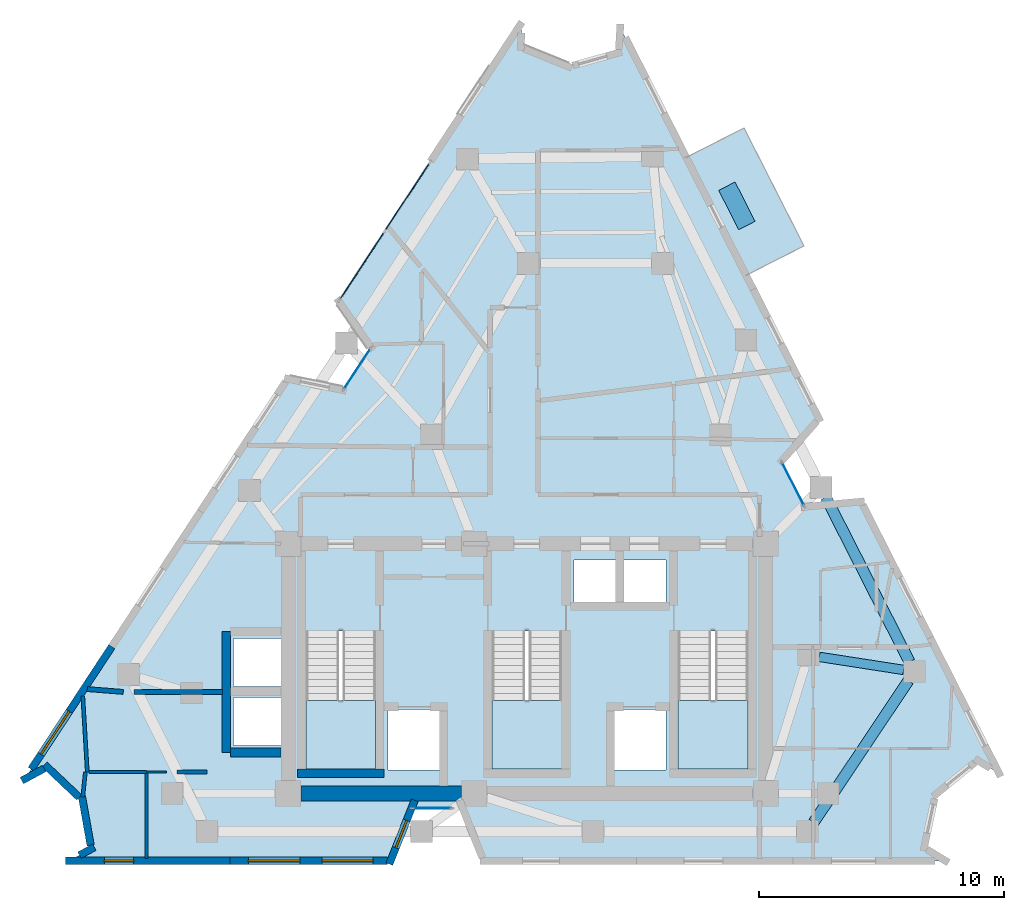
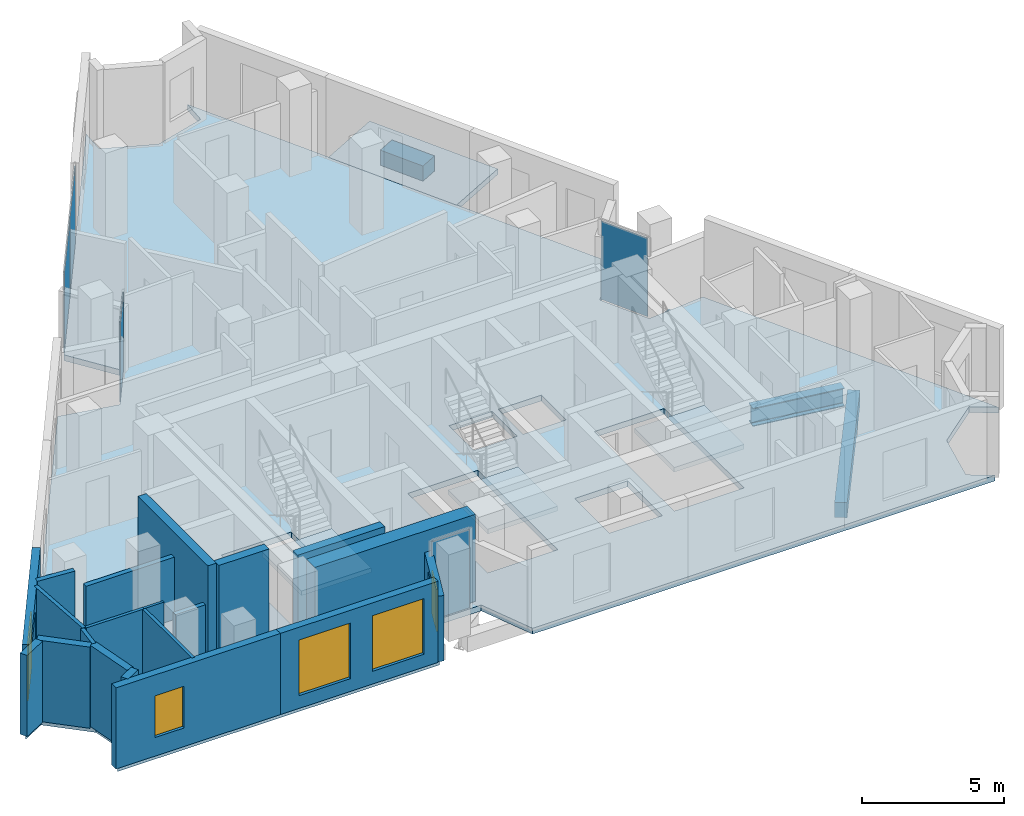
# One storey, part 4 of 9: 20 walls, 6 plates, 5 slabs, 5 windows, 3 beams, 5 openings, 7 elements without a shape of their own.
"""IFC4 building model written with IfcOpenShell, lengths in metres."""

from ifc_helpers import new_model, si_unit, direction, frame, frame_2d, origin, origin_2d, place, context, subcontext, project, spatial, polyline, rectangle, i_section, outline, extrude, material, layer, layer_set, material_profile, profile_set, type_object, element, fill, aggregate, save


model = new_model("IFC4")

# Units and contexts
model_context = context("Model", 3, precision=1e-05, world=origin(), true_north=direction((0.0, 1.0)))
body_context = subcontext(model_context, "Body", "Model", "MODEL_VIEW")
ifc_project = project(units=[si_unit("LENGTHUNIT", "METRE"), si_unit("AREAUNIT", "SQUARE_METRE"), si_unit("VOLUMEUNIT", "CUBIC_METRE"), si_unit("PLANEANGLEUNIT", "RADIAN"), si_unit("MASSUNIT", "GRAM", prefix="KILO")], contexts=[model_context])

# Site, building, storey
site_placement = place(None, origin())
site = spatial("IfcSite", under=ifc_project, at=site_placement, CompositionType="ELEMENT")
building_placement = place(site_placement, origin())
building = spatial("IfcBuilding", under=site, at=building_placement, Name="Almagre Mirador Tower", CompositionType="ELEMENT")
storey_placement = place(building_placement, frame((0.0, 0.0, 237.0)))
storey = spatial("IfcBuildingStorey", under=building, at=storey_placement, Name="L61", CompositionType="ELEMENT", Elevation=237.0)

# Beams
ifc_material_1 = material(Name="Precast concrete C50/60", Category="concrete")
ifc_material_profile_1 = material_profile(ifc_material_1, rectangle(XDim=0.449951171875, YDim=0.64990234375, at=origin_2d()), Name="RC450X650")
ifc_profile_set_1 = profile_set([ifc_material_profile_1], Name="Precast concrete C50/60")
beam_type_1 = type_object("IfcBeamType", Name="BM-SPN-RC450X650", PredefinedType="SPANDREL", material=ifc_profile_set_1)
beam_1_placement = place(storey_placement, frame((49.01416015625, 3.3740234375, -0.574951171875), z_axis=(0.555688352968, 0.831390674939, 0.0), x_axis=(-0.831390674939, 0.555688352968, 0.0)))
element("IfcBeam", 1, at=beam_1_placement, inside=storey, type_object=beam_type_1, Name="L61 perimeter spandrel beam PC04-PC05", PredefinedType="SPANDREL", context=body_context, shape_type="SweptSolid", body=[
    extrude(rectangle(XDim=0.449951171875, YDim=0.64990234375, at=origin_2d()), origin(), (0.0, 0.0, 1.0), 6.953125),
])
beam_2_placement = place(storey_placement, frame((52.92431640625, 9.93017578125, -0.574951171875), z_axis=(-0.452920240804, 0.891551039184, 0.0), x_axis=(-0.891551039184, -0.452920240804, 0.0)))
element("IfcBeam", 2, at=beam_2_placement, inside=storey, type_object=beam_type_1, Name="L61 perimeter spandrel beam PC05-PC06", PredefinedType="SPANDREL", context=body_context, shape_type="SweptSolid", body=[
    extrude(rectangle(XDim=0.449951171875, YDim=0.64990234375, at=origin_2d()), origin(), (0.0, 0.0, 1.0), 7.53466796875),
])
ifc_material_2 = material(Name="Steel ASTM A992 Grade 50", Category="steel")
ifc_material_profile_2 = material_profile(ifc_material_2, i_section(OverallWidth=0.384033203125, OverallDepth=0.784912109375, WebThickness=0.019775390625, FlangeThickness=0.033447265625, FilletRadius=0.02392578125, at=origin_2d()), Name="W30X211")
ifc_profile_set_2 = profile_set([ifc_material_profile_2], Name="Steel ASTM A992 Grade 50")
beam_type_2 = type_object("IfcBeamType", Name="BM-STL-W30X211", PredefinedType="BEAM", material=ifc_profile_set_2)
beam_3_placement = place(storey_placement, frame((52.683349609375, 9.597900390625, -0.642578125), z_axis=(-0.988190943166, 0.153227477449, 0.0), x_axis=(-0.153227477449, -0.988190943166, 0.0)))
element("IfcBeam", 3, at=beam_3_placement, inside=storey, type_object=beam_type_2, Name="L61 radial floor girder PC05-MC3", PredefinedType="BEAM", context=body_context, shape_type="SweptSolid", body=[
    extrude(i_section(OverallWidth=0.384033203125, OverallDepth=0.784912109375, WebThickness=0.019775390625, FlangeThickness=0.033447265625, FilletRadius=0.02392578125, at=origin_2d()), origin(), (0.0, 0.0, 1.0), 3.479736328125),
])

# Curtain wall, plate
ifc_material_3 = material(Name="Black anodized aluminium", Category="aluminium")
ifc_layer_1 = layer(ifc_material_3, 0.169921875)
ifc_layer_set_1 = layer_set([ifc_layer_1], Name="Black anodized aluminium")
curtain_wall_type_1 = type_object("IfcCurtainWallType", Name="CW-CRS-SYS", PredefinedType="NOTDEFINED", material=ifc_layer_set_1)
curtain_wall_1_placement = place(storey_placement, origin())
curtain_wall_1 = element("IfcCurtainWall", 4, at=curtain_wall_1_placement, inside=storey, type_object=curtain_wall_type_1, Name="L61 vertical crease curtain wall 01", PredefinedType="NOTDEFINED")
ifc_material_4 = material(Name="Dark solar-control laminated hurricane glass", Category="glass")
ifc_layer_2 = layer(ifc_material_4, 0.028076171875)
ifc_layer_set_2 = layer_set([ifc_layer_2], Name="Dark solar-control laminated hurricane glass")
plate_type_1 = type_object("IfcPlateType", Name="PLT-GLZ-28", PredefinedType="CURTAIN_PANEL", material=ifc_layer_set_2)
plate_1_placement = place(storey_placement, frame((30.37158203125, 21.892578125, 0.06005859375), z_axis=(0.0, 0.0, 1.0), x_axis=(0.548834109267, 0.835931289344, 0.0)))
plate_1 = element("IfcPlate", 5, at=plate_1_placement, type_object=plate_type_1, Name="CW-4 panel 1.1", PredefinedType="CURTAIN_PANEL", context=body_context, shape_type="SweptSolid", body=[
    extrude(rectangle(XDim=1.969970703125, YDim=0.028076171875, at=origin_2d()), origin(), (0.0, 0.0, 1.0), 3.3798828125),
])
aggregate(curtain_wall_1, [plate_1])

curtain_wall_2_placement = place(storey_placement, origin())
curtain_wall_2 = element("IfcCurtainWall", 6, at=curtain_wall_2_placement, inside=storey, type_object=curtain_wall_type_1, Name="L61 vertical crease curtain wall 03", PredefinedType="NOTDEFINED")
plate_2_placement = place(storey_placement, frame((48.17138671875, 17.18896484375, 0.06005859375), z_axis=(0.0, 0.0, 1.0), x_axis=(0.452943909364, -0.891539014833, 0.0)))
plate_2 = element("IfcPlate", 7, at=plate_2_placement, type_object=plate_type_1, Name="CW-4 panel 1.1", PredefinedType="CURTAIN_PANEL", context=body_context, shape_type="SweptSolid", body=[
    extrude(rectangle(XDim=1.970703125, YDim=0.028076171875, at=origin_2d()), origin(), (0.0, 0.0, 1.0), 3.3798828125),
])
aggregate(curtain_wall_2, [plate_2])

curtain_wall_3_placement = place(storey_placement, origin())
curtain_wall_3 = element("IfcCurtainWall", 8, at=curtain_wall_3_placement, inside=storey, type_object=curtain_wall_type_1, Name="L61 vertical crease curtain wall 04", PredefinedType="NOTDEFINED")
plate_3_placement = place(storey_placement, frame((33.427978515625, 3.949951171875, 0.06005859375), z_axis=(0.0, 0.0, 1.0), x_axis=(-1.0, 0.0, 0.0)))
plate_3 = element("IfcPlate", 9, at=plate_3_placement, type_object=plate_type_1, Name="CW-4 panel 1.1", PredefinedType="CURTAIN_PANEL", context=body_context, shape_type="SweptSolid", body=[
    extrude(rectangle(XDim=1.553955078125, YDim=0.028076171875, at=origin_2d()), origin(), (0.0, 0.0, 1.0), 3.3798828125),
])
aggregate(curtain_wall_3, [plate_3])

# Curtain wall, plates
ifc_material_5 = material(Name="Black anodized aluminium", Category="aluminium")
ifc_layer_3 = layer(ifc_material_5, 0.199951171875)
ifc_layer_set_3 = layer_set([ifc_layer_3], Name="Black anodized aluminium")
curtain_wall_type_2 = type_object("IfcCurtainWallType", Name="CW-RES-H-SYS", PredefinedType="NOTDEFINED", material=ifc_layer_set_3)
curtain_wall_4_placement = place(storey_placement, origin())
curtain_wall_4 = element("IfcCurtainWall", 10, at=curtain_wall_4_placement, inside=storey, type_object=curtain_wall_type_2, Name="L61 curtain wall run 02", PredefinedType="NOTDEFINED")
ifc_material_6 = material(Name="Dark solar-control laminated hurricane glass", Category="glass")
ifc_layer_4 = layer(ifc_material_6, 0.035888671875)
ifc_layer_set_4 = layer_set([ifc_layer_4], Name="Dark solar-control laminated hurricane glass")
plate_type_2 = type_object("IfcPlateType", Name="PLT-GLZ-36", PredefinedType="CURTAIN_PANEL", material=ifc_layer_set_4)
plate_4_placement = place(storey_placement, frame((30.562744140625, 26.09912109375, 0.06494140625), z_axis=(0.0, 0.0, 1.0), x_axis=(0.549034457062, 0.835799715816, 0.0)))
plate_4 = element("IfcPlate", 11, at=plate_4_placement, type_object=plate_type_2, Name="CW-3 panel 1.1", PredefinedType="CURTAIN_PANEL", context=body_context, shape_type="SweptSolid", body=[
    extrude(rectangle(XDim=3.311279296875, YDim=0.035888671875, at=origin_2d()), origin(), (0.0, 0.0, 1.0), 3.3701171875),
])
plate_5_placement = place(storey_placement, frame((32.416259765625, 28.9208984375, 0.06494140625), z_axis=(0.0, 0.0, 1.0), x_axis=(0.549034457062, 0.835799715816, 0.0)))
plate_5 = element("IfcPlate", 12, at=plate_5_placement, type_object=plate_type_2, Name="CW-3 panel 2.1", PredefinedType="CURTAIN_PANEL", context=body_context, shape_type="SweptSolid", body=[
    extrude(rectangle(XDim=3.311279296875, YDim=0.035888671875, at=origin_2d()), origin(), (0.0, 0.0, 1.0), 3.3701171875),
])
aggregate(curtain_wall_4, [plate_4, plate_5])

# Plate
ifc_material_7 = material(Name="Precast concrete C50/60", Category="concrete")
ifc_layer_5 = layer(ifc_material_7, 0.64990234375)
ifc_layer_set_5 = layer_set([ifc_layer_5], Name="Precast concrete C50/60")
plate_type_3 = type_object("IfcPlateType", Name="PLT-PLANTER-1800", PredefinedType="USERDEFINED", material=ifc_layer_set_5)
plate_6_placement = place(storey_placement, frame((45.876953125, 28.550048828125, 0.0), z_axis=(0.0, 0.0, 1.0), x_axis=(-0.452901591366, 0.891560513111, 0.0)))
element("IfcPlate", 13, at=plate_6_placement, inside=storey, type_object=plate_type_3, Name="L61 east balcony structural tree planter 1", ObjectType="PLANTER", PredefinedType="USERDEFINED", context=body_context, shape_type="SweptSolid", body=[
    extrude(rectangle(XDim=1.800048828125, YDim=0.75, at=origin_2d()), origin(), (0.0, 0.0, 1.0), 0.64990234375),
])

# Slabs
ifc_material_8 = material(Name="Concrete C45/55", Category="concrete")
ifc_layer_6 = layer(ifc_material_8, 0.239990234375)
ifc_layer_set_6 = layer_set([ifc_layer_6], Name="Concrete C45/55")
slab_type_1 = type_object("IfcSlabType", Name="SLB-BAL-240", PredefinedType="USERDEFINED", material=ifc_layer_set_6)
slab_1_placement = place(storey_placement, frame((0.0, 0.0, -0.239990234375)))
element("IfcSlab", 14, at=slab_1_placement, inside=storey, type_object=slab_type_1, Name="L61 east planted tree balcony 1", ObjectType="BALCONY", PredefinedType="USERDEFINED", context=body_context, shape_type="SweptSolid", body=[
    extrude(outline(polyline([(46.235107421875, 25.7041015625), (43.7890625, 30.51806640625), (46.169921875, 31.72705078125), (48.614990234375, 26.9130859375), (46.235107421875, 25.7041015625)])), origin(), (0.0, 0.0, 1.0), 0.239990234375),
])
ifc_material_9 = material(Name="Concrete C45/55", Category="concrete")
ifc_layer_7 = layer(ifc_material_9, 0.25)
ifc_layer_set_7 = layer_set([ifc_layer_7], Name="Concrete C45/55")
slab_type_2 = type_object("IfcSlabType", Name="SLB-FLR-250", PredefinedType="FLOOR", material=ifc_layer_set_7)
slab_2_placement = place(storey_placement, frame((0.0, 0.0, -0.25)))
element("IfcSlab", 15, at=slab_2_placement, inside=storey, type_object=slab_type_2, Name="L61 structural floor slab", PredefinedType="FLOOR", context=body_context, shape_type="SweptSolid", body=[
    extrude(outline(polyline([(16.7958984375, 5.14306640625), (17.70703125, 5.635009765625), (19.158935546875, 4.260009765625), (19.510986328125, 2.291015625), (18.60009765625, 1.800048828125), (31.736083984375, 1.800048828125), (32.591064453125, 3.949951171875), (34.680908203125, 3.949951171875), (35.535888671875, 1.800048828125), (54.39990234375, 1.800048828125), (53.51806640625, 2.341064453125), (53.985107421875, 4.509033203125), (55.7060546875, 5.907958984375), (56.587890625, 5.365966796875), (50.948974609375, 16.468994140625), (48.64501953125, 16.257080078125), (47.697998046875, 18.12109375), (49.22802734375, 19.85693359375), (41.112060546875, 35.833984375), (41.053955078125, 34.800048828125), (39.011962890625, 34.22802734375), (37.0458984375, 35.02294921875), (37.10400390625, 36.056884765625), (29.617919921875, 24.660888671875), (30.945068359375, 22.76611328125), (29.798095703125, 21.01904296875), (27.531005859375, 21.485107421875), (16.7958984375, 5.14306640625)]), holes=[polyline([(43.47509765625, 5.550048828125), (43.47509765625, 11.196044921875), (46.324951171875, 11.196044921875), (46.324951171875, 5.550048828125), (43.47509765625, 5.550048828125)]), polyline([(41.219970703125, 12.320068359375), (41.219970703125, 14.080078125), (42.97998046875, 14.080078125), (42.97998046875, 12.320068359375), (41.219970703125, 12.320068359375)]), polyline([(42.97998046875, 5.52001953125), (40.820068359375, 5.52001953125), (40.820068359375, 7.97998046875), (42.97998046875, 7.97998046875), (42.97998046875, 5.52001953125)]), polyline([(39.219970703125, 12.320068359375), (39.219970703125, 14.080078125), (40.97998046875, 14.080078125), (40.97998046875, 12.320068359375), (39.219970703125, 12.320068359375)]), polyline([(35.875, 5.550048828125), (35.875, 11.196044921875), (38.72509765625, 11.196044921875), (38.72509765625, 5.550048828125), (35.875, 5.550048828125)]), polyline([(33.780029296875, 5.52001953125), (31.6201171875, 5.52001953125), (31.6201171875, 7.97998046875), (33.780029296875, 7.97998046875), (33.780029296875, 5.52001953125)]), polyline([(28.27490234375, 5.550048828125), (28.27490234375, 11.196044921875), (31.125, 11.196044921875), (31.125, 5.550048828125), (28.27490234375, 5.550048828125)]), polyline([(27.3798828125, 6.52001953125), (25.320068359375, 6.52001953125), (25.320068359375, 8.47998046875), (27.3798828125, 8.47998046875), (27.3798828125, 6.52001953125)]), polyline([(27.3798828125, 8.919921875), (25.320068359375, 8.919921875), (25.320068359375, 10.8798828125), (27.3798828125, 10.8798828125), (27.3798828125, 8.919921875)])]), origin(), (0.0, 0.0, 1.0), 0.25),
])

# Stair, slab
ifc_material_10 = material(Name="Concrete C45/55", Category="concrete")
stair_type = type_object("IfcStairType", Name="STR-DL-3750", PredefinedType="HALF_TURN_STAIR", material=ifc_material_10)
stair_1_placement = place(storey_placement, origin())
stair_1 = element("IfcStair", 16, at=stair_1_placement, inside=storey, type_object=stair_type, Name="L61 Protected exit stair ST-1", PredefinedType="HALF_TURN_STAIR")
ifc_material_11 = material(Name="Concrete C45/55", Category="concrete")
ifc_layer_8 = layer(ifc_material_11, 0.199951171875)
ifc_layer_set_8 = layer_set([ifc_layer_8], Name="Concrete C45/55")
slab_type_3 = type_object("IfcSlabType", Name="SLB-LND-200", PredefinedType="LANDING", material=ifc_layer_set_8)
slab_3_placement = place(storey_placement, frame((0.0, 0.0, 1.675048828125)))
slab_3 = element("IfcSlab", 17, at=slab_3_placement, type_object=slab_type_3, Name="ST-1 landing 1", PredefinedType="LANDING", context=body_context, shape_type="SweptSolid", body=[
    extrude(outline(polyline([(28.27490234375, 8.35009765625), (28.27490234375, 5.550048828125), (31.125, 5.550048828125), (31.125, 8.35009765625), (28.27490234375, 8.35009765625)])), origin(), (0.0, 0.0, 1.0), 0.199951171875),
])
aggregate(stair_1, [slab_3])

stair_2_placement = place(storey_placement, origin())
stair_2 = element("IfcStair", 18, at=stair_2_placement, inside=storey, type_object=stair_type, Name="L61 Protected exit stair ST-2", PredefinedType="HALF_TURN_STAIR")
slab_4_placement = place(storey_placement, frame((0.0, 0.0, 1.675048828125)))
slab_4 = element("IfcSlab", 19, at=slab_4_placement, type_object=slab_type_3, Name="ST-2 landing 1", PredefinedType="LANDING", context=body_context, shape_type="SweptSolid", body=[
    extrude(outline(polyline([(35.875, 8.35009765625), (35.875, 5.550048828125), (38.72509765625, 5.550048828125), (38.72509765625, 8.35009765625), (35.875, 8.35009765625)])), origin(), (0.0, 0.0, 1.0), 0.199951171875),
])
aggregate(stair_2, [slab_4])

stair_3_placement = place(storey_placement, origin())
stair_3 = element("IfcStair", 20, at=stair_3_placement, inside=storey, type_object=stair_type, Name="L61 Protected exit stair ST-3", PredefinedType="HALF_TURN_STAIR")
slab_5_placement = place(storey_placement, frame((0.0, 0.0, 1.675048828125)))
slab_5 = element("IfcSlab", 21, at=slab_5_placement, type_object=slab_type_3, Name="ST-3 landing 1", PredefinedType="LANDING", context=body_context, shape_type="SweptSolid", body=[
    extrude(outline(polyline([(43.47509765625, 8.35009765625), (43.47509765625, 5.550048828125), (46.324951171875, 5.550048828125), (46.324951171875, 8.35009765625), (43.47509765625, 8.35009765625)])), origin(), (0.0, 0.0, 1.0), 0.199951171875),
])
aggregate(stair_3, [slab_5])

# Wall, opening, window
ifc_material_12 = material(Name="Precast concrete C50/60", Category="concrete")
ifc_layer_9 = layer(ifc_material_12, 0.300048828125)
ifc_layer_set_9 = layer_set([ifc_layer_9], Name="Precast concrete C50/60")
wall_type_1 = type_object("IfcWallType", Name="WAL-EXT-300", PredefinedType="SOLIDWALL", material=ifc_layer_set_9)
wall_1_placement = place(storey_placement, frame((32.719482421875, 4.2734375, 0.0), z_axis=(0.0, 0.0, 1.0), x_axis=(-0.369466825356, -0.929243921132, 0.0)))
wall_1 = element("IfcWall", 22, at=wall_1_placement, inside=storey, type_object=wall_type_1, Name="L61 expressed almagre precast frame wall 23", PredefinedType="SOLIDWALL", context=body_context, shape_type="SweptSolid", body=[
    extrude(rectangle(XDim=2.8017578125, YDim=0.300048828125, at=frame_2d((1.40087890625, 0.0))), origin(), (0.0, 0.0, 1.0), 2.824951171875),
])
opening_1_placement = place(wall_1_placement, frame((0.883056640625, 0.0, 0.800048828125)))
opening_1 = element("IfcOpeningElement", 23, at=opening_1_placement, cuts=wall_1, Name="Opening WN-04", PredefinedType="OPENING", context=body_context, shape_type="SweptSolid", body=[
    extrude(rectangle(XDim=1.199951171875, YDim=1.800048828125, at=frame_2d((0.60009765625, 0.89990234375))), frame((0.0, 0.159902, 0.0), z_axis=(0.0, -1.0, 0.0), x_axis=(1.0, 0.0, 0.0)), (0.0, 0.0, 1.0), 0.320049),
])
ifc_material_13 = material(Name="Dark solar-control laminated hurricane glass", Category="glass")
window_type_1 = type_object("IfcWindowType", Name="WIN-1200X1800", PartitioningType="SINGLE_PANEL", PredefinedType="WINDOW", material=ifc_material_13)
window_1_placement = place(opening_1_placement, origin())
window_1 = element("IfcWindow", 24, at=window_1_placement, inside=storey, type_object=window_type_1, Name="L61 recessed hurricane window L61-UB-ST", OverallHeight=1.800048828125, OverallWidth=1.199951171875, PartitioningType="SINGLE_PANEL", PredefinedType="WINDOW", context=body_context, shape_type="SweptSolid", body=[
    extrude(rectangle(XDim=1.199951171875, YDim=1.800048828125, at=frame_2d((0.60009765625, 0.89990234375))), frame((0.0, 0.030029296875, 0.0), z_axis=(0.0, -1.0, 0.0), x_axis=(1.0, 0.0, 0.0)), (0.0, 0.0, 1.0), 0.06005859375),
])
fill(opening_1, window_1)

# Wall, openings, windows
wall_2_placement = place(storey_placement, frame((31.60107421875, 1.800048828125, 0.0), z_axis=(0.0, 0.0, 1.0), x_axis=(-1.0, 0.0, 0.0)))
wall_2 = element("IfcWall", 25, at=wall_2_placement, inside=storey, type_object=wall_type_1, Name="L61 expressed almagre precast frame wall 24", PredefinedType="SOLIDWALL", context=body_context, shape_type="SweptSolid", body=[
    extrude(rectangle(XDim=6.43310546875, YDim=0.300048828125, at=frame_2d((3.216552734375, 0.0))), origin(), (0.0, 0.0, 1.0), 3.5),
])
opening_2_placement = place(wall_2_placement, frame((0.574951171875, 0.0, 0.550048828125)))
opening_2 = element("IfcOpeningElement", 26, at=opening_2_placement, cuts=wall_2, Name="Opening WN-05", PredefinedType="OPENING", context=body_context, shape_type="SweptSolid", body=[
    extrude(rectangle(XDim=2.10009765625, YDim=2.39990234375, at=frame_2d((1.050048828125, 1.199951171875))), frame((0.0, 0.159902, 0.0), z_axis=(0.0, -1.0, 0.0), x_axis=(1.0, 0.0, 0.0)), (0.0, 0.0, 1.0), 0.320049),
])
opening_3_placement = place(wall_2_placement, frame((3.574951171875, 0.0, 0.550048828125)))
opening_3 = element("IfcOpeningElement", 27, at=opening_3_placement, cuts=wall_2, Name="Opening WN-05", PredefinedType="OPENING", context=body_context, shape_type="SweptSolid", body=[
    extrude(rectangle(XDim=2.10009765625, YDim=2.39990234375, at=frame_2d((1.050048828125, 1.199951171875))), frame((0.0, 0.159902, 0.0), z_axis=(0.0, -1.0, 0.0), x_axis=(1.0, 0.0, 0.0)), (0.0, 0.0, 1.0), 0.320049),
])
ifc_material_14 = material(Name="Dark solar-control laminated hurricane glass", Category="glass")
window_type_2 = type_object("IfcWindowType", Name="WIN-2100X2400", PartitioningType="DOUBLE_PANEL_VERTICAL", PredefinedType="WINDOW", material=ifc_material_14)
window_2_placement = place(opening_2_placement, origin())
window_2 = element("IfcWindow", 28, at=window_2_placement, inside=storey, type_object=window_type_2, Name="L61 recessed hurricane window L61-UB-ST", OverallHeight=2.39990234375, OverallWidth=2.10009765625, PartitioningType="SINGLE_PANEL", PredefinedType="WINDOW", context=body_context, shape_type="SweptSolid", body=[
    extrude(rectangle(XDim=2.10009765625, YDim=2.39990234375, at=frame_2d((1.050048828125, 1.199951171875))), frame((0.0, 0.030029296875, 0.0), z_axis=(0.0, -1.0, 0.0), x_axis=(1.0, 0.0, 0.0)), (0.0, 0.0, 1.0), 0.06005859375),
])
fill(opening_2, window_2)
window_3_placement = place(opening_3_placement, origin())
window_3 = element("IfcWindow", 29, at=window_3_placement, inside=storey, type_object=window_type_2, Name="L61 recessed hurricane window L61-UB-BT", OverallHeight=2.39990234375, OverallWidth=2.10009765625, PartitioningType="SINGLE_PANEL", PredefinedType="WINDOW", context=body_context, shape_type="SweptSolid", body=[
    extrude(rectangle(XDim=2.10009765625, YDim=2.39990234375, at=frame_2d((1.050048828125, 1.199951171875))), frame((0.0, 0.030029296875, 0.0), z_axis=(0.0, -1.0, 0.0), x_axis=(1.0, 0.0, 0.0)), (0.0, 0.0, 1.0), 0.06005859375),
])
fill(opening_3, window_3)

# Wall, opening, window
wall_3_placement = place(storey_placement, frame((25.16796875, 1.800048828125, 0.0), z_axis=(0.0, 0.0, 1.0), x_axis=(-1.0, 0.0, 0.0)))
wall_3 = element("IfcWall", 30, at=wall_3_placement, inside=storey, type_object=wall_type_1, Name="L61 expressed almagre precast frame wall 25", PredefinedType="SOLIDWALL", context=body_context, shape_type="SweptSolid", body=[
    extrude(rectangle(XDim=6.7080078125, YDim=0.300048828125, at=frame_2d((3.35400390625, 0.0))), origin(), (0.0, 0.0, 1.0), 3.5),
])
opening_4_placement = place(wall_3_placement, frame((3.925048828125, 0.0, 0.800048828125)))
opening_4 = element("IfcOpeningElement", 31, at=opening_4_placement, cuts=wall_3, Name="Opening WN-04", PredefinedType="OPENING", context=body_context, shape_type="SweptSolid", body=[
    extrude(rectangle(XDim=1.199951171875, YDim=1.800048828125, at=frame_2d((0.60009765625, 0.89990234375))), frame((0.0, 0.159902, 0.0), z_axis=(0.0, -1.0, 0.0), x_axis=(1.0, 0.0, 0.0)), (0.0, 0.0, 1.0), 0.320049),
])
window_4_placement = place(opening_4_placement, origin())
window_4 = element("IfcWindow", 32, at=window_4_placement, inside=storey, type_object=window_type_1, Name="L61 recessed hurricane window L61-UA-KT", OverallHeight=1.800048828125, OverallWidth=1.199951171875, PartitioningType="SINGLE_PANEL", PredefinedType="WINDOW", context=body_context, shape_type="SweptSolid", body=[
    extrude(rectangle(XDim=1.199951171875, YDim=1.800048828125, at=frame_2d((0.60009765625, 0.89990234375))), frame((0.0, 0.030029296875, 0.0), z_axis=(0.0, -1.0, 0.0), x_axis=(1.0, 0.0, 0.0)), (0.0, 0.0, 1.0), 0.06005859375),
])
fill(opening_4, window_4)

# Walls
wall_4_placement = place(storey_placement, frame((19.031494140625, 2.032470703125, 0.0), z_axis=(0.0, 0.0, 1.0), x_axis=(0.880242040971, 0.474524972269, 0.0)))
element("IfcWall", 33, at=wall_4_placement, inside=storey, type_object=wall_type_1, Name="L61 expressed almagre precast frame wall 26", PredefinedType="SOLIDWALL", context=body_context, shape_type="SweptSolid", body=[
    extrude(rectangle(XDim=0.684814453125, YDim=0.300048828125, at=frame_2d((0.34228515625, 0.0))), origin(), (0.0, 0.0, 1.0), 3.5),
])
wall_5_placement = place(storey_placement, frame((19.4873046875, 2.423828125, 0.0), z_axis=(0.0, 0.0, 1.0), x_axis=(-0.175993262493, 0.984391371131, 0.0)))
element("IfcWall", 34, at=wall_5_placement, inside=storey, type_object=wall_type_1, Name="L61 expressed almagre precast frame wall 27", PredefinedType="SOLIDWALL", context=body_context, shape_type="SweptSolid", body=[
    extrude(rectangle(XDim=2.04345703125, YDim=0.300048828125, at=frame_2d((1.021728515625, 0.0))), origin(), (0.0, 0.0, 1.0), 3.5),
])
wall_6_placement = place(storey_placement, frame((19.02099609375, 4.390625, 0.0), z_axis=(0.0, 0.0, 1.0), x_axis=(-0.726127048854, 0.687560549277, 0.0)))
element("IfcWall", 35, at=wall_6_placement, inside=storey, type_object=wall_type_1, Name="L61 expressed almagre precast frame wall 28", PredefinedType="SOLIDWALL", context=body_context, shape_type="SweptSolid", body=[
    extrude(rectangle(XDim=1.94970703125, YDim=0.300048828125, at=frame_2d((0.974853515625, 0.0))), origin(), (0.0, 0.0, 1.0), 3.5),
])
wall_7_placement = place(storey_placement, frame((17.588134765625, 5.57080078125, 0.0), z_axis=(0.0, 0.0, 1.0), x_axis=(-0.879852407073, -0.475247032361, 0.0)))
element("IfcWall", 36, at=wall_7_placement, inside=storey, type_object=wall_type_1, Name="L61 expressed almagre precast frame wall 29", PredefinedType="SOLIDWALL", context=body_context, shape_type="SweptSolid", body=[
    extrude(rectangle(XDim=1.040283203125, YDim=0.300048828125, at=frame_2d((0.52001953125, 0.0))), origin(), (0.0, 0.0, 1.0), 3.5),
])

# Wall, opening, window
wall_8_placement = place(storey_placement, frame((17.0595703125, 5.544189453125, 0.0), z_axis=(0.0, 0.0, 1.0), x_axis=(0.549025808549, 0.835805396936, 0.0)))
wall_8 = element("IfcWall", 37, at=wall_8_placement, inside=storey, type_object=wall_type_1, Name="L61 expressed almagre precast frame wall 30", PredefinedType="SOLIDWALL", context=body_context, shape_type="SweptSolid", body=[
    extrude(rectangle(XDim=5.99072265625, YDim=0.300048828125, at=frame_2d((2.995361328125, 0.0))), origin(), (0.0, 0.0, 1.0), 3.5),
])
opening_5_placement = place(wall_8_placement, frame((0.72998046875, 0.0, 0.550048828125)))
opening_5 = element("IfcOpeningElement", 38, at=opening_5_placement, cuts=wall_8, Name="Opening WN-05", PredefinedType="OPENING", context=body_context, shape_type="SweptSolid", body=[
    extrude(rectangle(XDim=2.10009765625, YDim=2.39990234375, at=frame_2d((1.050048828125, 1.199951171875))), frame((0.0, 0.159902, 0.0), z_axis=(0.0, -1.0, 0.0), x_axis=(1.0, 0.0, 0.0)), (0.0, 0.0, 1.0), 0.320049),
])
window_5_placement = place(opening_5_placement, origin())
window_5 = element("IfcWindow", 39, at=window_5_placement, inside=storey, type_object=window_type_2, Name="L61 recessed hurricane window L61-UA-HB", OverallHeight=2.39990234375, OverallWidth=2.10009765625, PartitioningType="SINGLE_PANEL", PredefinedType="WINDOW", context=body_context, shape_type="SweptSolid", body=[
    extrude(rectangle(XDim=2.10009765625, YDim=2.39990234375, at=frame_2d((1.050048828125, 1.199951171875))), frame((0.0, 0.030029296875, 0.0), z_axis=(0.0, -1.0, 0.0), x_axis=(1.0, 0.0, 0.0)), (0.0, 0.0, 1.0), 0.06005859375),
])
fill(opening_5, window_5)

# Walls
ifc_material_15 = material(Name="Gypsum acoustic stud partition", Category="other")
ifc_layer_10 = layer(ifc_material_15, 0.10009765625)
ifc_layer_set_10 = layer_set([ifc_layer_10], Name="Gypsum acoustic stud partition")
wall_type_2 = type_object("IfcWallType", Name="WAL-PRT-100-CLS", PredefinedType="PARTITIONING", material=ifc_layer_set_10)
wall_9_placement = place(storey_placement, frame((21.760009765625, 5.429931640625, 0.0), z_axis=(0.0, 0.0, 1.0), x_axis=(1.0, 0.0, 0.0)))
element("IfcWall", 40, at=wall_9_placement, inside=storey, type_object=wall_type_2, Name="L61 interior partition 017", PredefinedType="PARTITIONING", context=body_context, shape_type="SweptSolid", body=[
    extrude(rectangle(XDim=0.820068359375, YDim=0.10009765625, at=frame_2d((0.41015625, 0.0))), origin(), (0.0, 0.0, 1.0), 3.5),
])
ifc_material_16 = material(Name="Gypsum acoustic stud partition", Category="other")
ifc_layer_11 = layer(ifc_material_16, 0.125)
ifc_layer_set_11 = layer_set([ifc_layer_11], Name="Gypsum acoustic stud partition")
wall_type_3 = type_object("IfcWallType", Name="WAL-PRT-125-UTL", PredefinedType="PARTITIONING", material=ifc_layer_set_11)
wall_10_placement = place(storey_placement, frame((19.409912109375, 5.429931640625, 0.0), z_axis=(0.0, 0.0, 1.0), x_axis=(1.0, 0.0, 0.0)))
element("IfcWall", 41, at=wall_10_placement, inside=storey, type_object=wall_type_3, Name="L61 interior partition 016", PredefinedType="PARTITIONING", context=body_context, shape_type="SweptSolid", body=[
    extrude(rectangle(XDim=2.35009765625, YDim=0.125, at=frame_2d((1.175048828125, 0.0))), origin(), (0.0, 0.0, 1.0), 3.5),
])
wall_11_placement = place(storey_placement, frame((21.760009765625, 1.89990234375, 0.0), z_axis=(0.0, 0.0, 1.0), x_axis=(0.0, 1.0, 0.0)))
element("IfcWall", 42, at=wall_11_placement, inside=storey, type_object=wall_type_3, Name="L61 interior partition 022", PredefinedType="PARTITIONING", context=body_context, shape_type="SweptSolid", body=[
    extrude(rectangle(XDim=3.482666015625, YDim=0.125, at=frame_2d((1.7412109375, 0.0))), origin(), (0.0, 0.0, 1.0), 3.5),
])
ifc_material_17 = material(Name="Gypsum acoustic stud partition", Category="other")
ifc_layer_12 = layer(ifc_material_17, 0.14990234375)
ifc_layer_set_12 = layer_set([ifc_layer_12], Name="Gypsum acoustic stud partition")
wall_type_4 = type_object("IfcWallType", Name="WAL-PRT-150-STD", PredefinedType="PARTITIONING", material=ifc_layer_set_12)
wall_12_placement = place(storey_placement, frame((19.166015625, 8.534912109375, 0.0), z_axis=(0.0, 0.0, 1.0), x_axis=(0.059182134753, -0.998247201311, 0.0)))
element("IfcWall", 43, at=wall_12_placement, inside=storey, type_object=wall_type_4, Name="L61 interior partition 015", PredefinedType="PARTITIONING", context=body_context, shape_type="SweptSolid", body=[
    extrude(rectangle(XDim=3.1103515625, YDim=0.14990234375, at=frame_2d((1.55517578125, 0.0))), origin(), (0.0, 0.0, 1.0), 3.5),
])
wall_13_placement = place(storey_placement, frame((19.1650390625, 4.4140625, 0.0), z_axis=(0.0, 0.0, 1.0), x_axis=(0.103185695327, 0.994662109603, 0.0)))
element("IfcWall", 44, at=wall_13_placement, inside=storey, type_object=wall_type_4, Name="L61 interior partition 021", PredefinedType="PARTITIONING", context=body_context, shape_type="SweptSolid", body=[
    extrude(rectangle(XDim=1.017333984375, YDim=0.14990234375, at=frame_2d((0.5087890625, 0.0))), origin(), (0.0, 0.0, 1.0), 3.5),
])
ifc_material_18 = material(Name="Gypsum acoustic stud partition", Category="other")
ifc_layer_13 = layer(ifc_material_18, 0.175048828125)
ifc_layer_set_13 = layer_set([ifc_layer_13], Name="Gypsum acoustic stud partition")
wall_type_5 = type_object("IfcWallType", Name="WAL-PRT-175-AC", PredefinedType="PARTITIONING", material=ifc_layer_set_13)
wall_14_placement = place(storey_placement, frame((23.02001953125, 5.429931640625, 0.0), z_axis=(0.0, 0.0, 1.0), x_axis=(1.0, 0.0, 0.0)))
element("IfcWall", 45, at=wall_14_placement, inside=storey, type_object=wall_type_5, Name="L61 interior partition 018", PredefinedType="PARTITIONING", context=body_context, shape_type="SweptSolid", body=[
    extrude(rectangle(XDim=1.219970703125, YDim=0.175048828125, at=frame_2d((0.60986328125, 0.0))), origin(), (0.0, 0.0, 1.0), 2.820068359375),
])
ifc_material_19 = material(Name="Gypsum acoustic stud partition", Category="other")
ifc_layer_14 = layer(ifc_material_19, 0.199951171875)
ifc_layer_set_14 = layer_set([ifc_layer_14], Name="Gypsum acoustic stud partition")
wall_type_6 = type_object("IfcWallType", Name="WAL-PRT-200-EI60", PredefinedType="PARTITIONING", material=ifc_layer_set_14)
wall_15_placement = place(storey_placement, frame((20.820068359375, 8.699951171875, 0.0), z_axis=(0.0, 0.0, 1.0), x_axis=(-0.996902591157, 0.078646193456, 0.0)))
element("IfcWall", 46, at=wall_15_placement, inside=storey, type_object=wall_type_6, Name="L61 interior partition 019", PredefinedType="PARTITIONING", context=body_context, shape_type="SweptSolid", body=[
    extrude(rectangle(XDim=1.474609375, YDim=0.199951171875, at=frame_2d((0.7373046875, 0.0))), origin(), (0.0, 0.0, 1.0), 3.5),
])
wall_16_placement = place(storey_placement, frame((24.864990234375, 8.699951171875, 0.0), z_axis=(0.0, 0.0, 1.0), x_axis=(-1.0, 0.0, 0.0)))
element("IfcWall", 47, at=wall_16_placement, inside=storey, type_object=wall_type_6, Name="L61 interior partition 020", PredefinedType="PARTITIONING", context=body_context, shape_type="SweptSolid", body=[
    extrude(rectangle(XDim=3.60498046875, YDim=0.199951171875, at=frame_2d((1.802490234375, 0.0))), origin(), (0.0, 0.0, 1.0), 2.68505859375),
])
ifc_material_20 = material(Name="Concrete C60/75", Category="concrete")
ifc_layer_15 = layer(ifc_material_20, 0.35009765625)
ifc_layer_set_15 = layer_set([ifc_layer_15], Name="Concrete C60/75")
wall_type_7 = type_object("IfcWallType", Name="WAL-SHF-350", PredefinedType="SOLIDWALL", material=ifc_layer_set_15)
wall_17_placement = place(storey_placement, frame((27.925048828125, 5.375, 0.0), z_axis=(0.0, 0.0, 1.0), x_axis=(1.0, 0.0, 0.0)))
element("IfcWall", 48, at=wall_17_placement, inside=storey, type_object=wall_type_7, Name="L61 shaft wall ST1-S", PredefinedType="SOLIDWALL", context=body_context, shape_type="SweptSolid", body=[
    extrude(rectangle(XDim=3.550048828125, YDim=0.35009765625, at=frame_2d((1.77490234375, 0.0))), origin(), (0.0, 0.0, 1.0), 3.75),
])
wall_18_placement = place(storey_placement, frame((25.02490234375, 6.22509765625, 0.0), z_axis=(0.0, 0.0, 1.0), x_axis=(0.0, 1.0, 0.0)))
element("IfcWall", 49, at=wall_18_placement, inside=storey, type_object=wall_type_7, Name="L61 shaft wall OL-W", PredefinedType="SOLIDWALL", context=body_context, shape_type="SweptSolid", body=[
    extrude(rectangle(XDim=4.949951171875, YDim=0.35009765625, at=frame_2d((2.47509765625, 0.0))), origin(), (0.0, 0.0, 1.0), 3.75),
])
wall_19_placement = place(storey_placement, frame((25.199951171875, 6.22509765625, 0.0), z_axis=(0.0, 0.0, 1.0), x_axis=(1.0, 0.0, 0.0)))
element("IfcWall", 50, at=wall_19_placement, inside=storey, type_object=wall_type_7, Name="L61 shaft wall OL-S", PredefinedType="SOLIDWALL", context=body_context, shape_type="SweptSolid", body=[
    extrude(rectangle(XDim=2.050048828125, YDim=0.35009765625, at=frame_2d((1.02490234375, 0.0))), origin(), (0.0, 0.0, 1.0), 3.75),
])
ifc_material_21 = material(Name="Concrete C60/75", Category="concrete")
ifc_layer_16 = layer(ifc_material_21, 0.60009765625)
ifc_layer_set_16 = layer_set([ifc_layer_16], Name="Concrete C60/75")
wall_type_8 = type_object("IfcWallType", Name="WAL-SHR-600", PredefinedType="SHEAR", material=ifc_layer_set_16)
wall_20_placement = place(storey_placement, frame((28.074951171875, 4.550048828125, 0.0), z_axis=(0.0, 0.0, 1.0), x_axis=(1.0, 0.0, 0.0)))
element("IfcWall", 51, at=wall_20_placement, inside=storey, type_object=wall_type_8, Name="L61 core shear wall S1", PredefinedType="SHEAR", context=body_context, shape_type="SweptSolid", body=[
    extrude(rectangle(XDim=6.550048828125, YDim=0.60009765625, at=frame_2d((3.27490234375, 0.0))), origin(), (0.0, 0.0, 1.0), 3.75),
])

save(model, "model.ifc")
